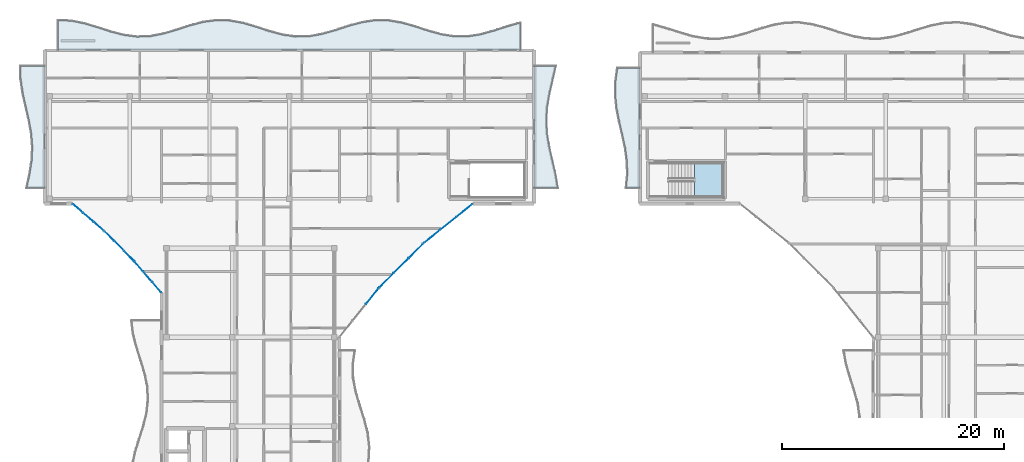
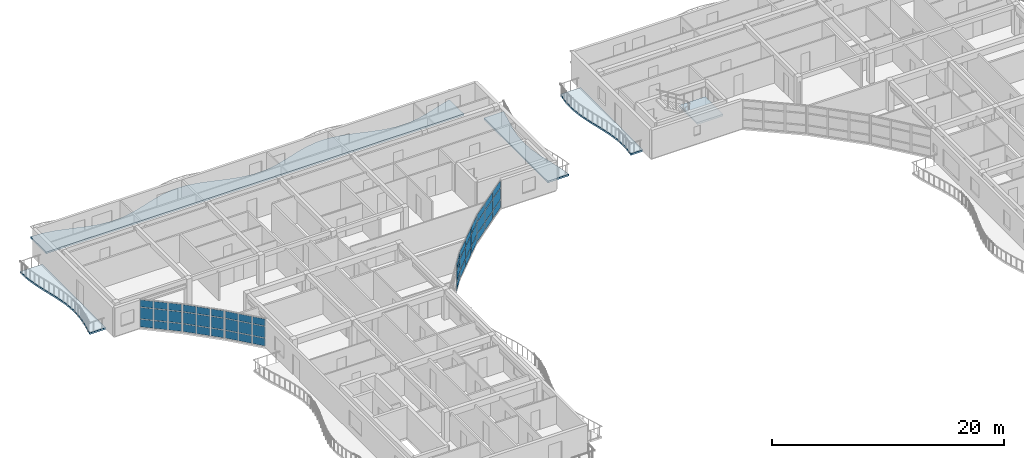
# One storey, part 13 of 30: 48 plates, 5 slabs, 7 elements without a shape of their own.
"""IFC4 building model written with IfcOpenShell, lengths in metres."""

import ifcopenshell
import ifcopenshell.guid

model = None  # the IFC model being written
_history = None  # IfcOwnerHistory: only IFC2X3 demands one
_inside = {}  # id of a spatial element -> (the spatial element, [elements in it])
_under = {}  # id of a project, library or spatial element -> (it, [spatial elements below it])
_declared = {}  # id of a project -> (the project, [libraries it declares])
_typed = {}  # id of a type object -> (the type object, [elements of that type])
_made_of = {}  # id of a material, layer set ... -> (it, [elements and type objects made of it])


def new_model(schema):
    """Start an empty IFC model of exactly this schema.

    Asked for "IFC4X3", IfcOpenShell would pick the latest addendum, in which some entities
    have other attributes; the version numbers below select the first issue.
    IFC2X3 requires an IfcOwnerHistory on every rooted entity: one is made here for all.
    """
    global model, _history
    if schema == "IFC4X3":
        model = ifcopenshell.file(schema_version=(4, 3, 0, 0))
    else:
        model = ifcopenshell.file(schema=schema)
    _inside.clear()
    _under.clear()
    _declared.clear()
    _typed.clear()
    _made_of.clear()
    _history = None
    if model.schema == "IFC2X3":
        org = make("IfcOrganization", Name="unknown")
        user = make(
            "IfcPersonAndOrganization",
            ThePerson=make("IfcPerson", FamilyName="unknown"),
            TheOrganization=org,
        )
        app = make(
            "IfcApplication",
            ApplicationDeveloper=org,
            Version="unknown",
            ApplicationFullName="unknown",
            ApplicationIdentifier="unknown",
        )
        _history = make(
            "IfcOwnerHistory",
            OwningUser=user,
            OwningApplication=app,
            ChangeAction="ADDED",
            CreationDate=0,
        )
    return model


def make(cls, **values):
    """One entity of the class cls with the attributes given. An attribute that is None is left unset."""
    return model.create_entity(
        cls, **{name: value for name, value in values.items() if value is not None}
    )


def rooted(cls, **values):
    """An entity with a GlobalId (a new one), such as an element, a storey or a relation."""
    return make(cls, GlobalId=ifcopenshell.guid.new(), OwnerHistory=_history, **values)


def si_unit(unit_type, name, prefix=None):
    """IfcSIUnit, for example si_unit("LENGTHUNIT", "METRE", prefix="MILLI")."""
    return make("IfcSIUnit", UnitType=unit_type, Prefix=prefix, Name=name)


def assignment(units):
    """IfcUnitAssignment: the units of a project."""
    return None if units is None else make("IfcUnitAssignment", Units=units)


def point(xyz):
    """IfcCartesianPoint."""
    return None if xyz is None else make("IfcCartesianPoint", Coordinates=xyz)


def direction(xyz):
    """IfcDirection."""
    return None if xyz is None else make("IfcDirection", DirectionRatios=xyz)


def frame(location, z_axis=None, x_axis=None):
    """IfcAxis2Placement3D, a coordinate frame: its origin and axes. An axis left out is left unset."""
    return make(
        "IfcAxis2Placement3D",
        Location=point(location),
        Axis=direction(z_axis),
        RefDirection=direction(x_axis),
    )


def frame_2d(location, x_axis=None):
    """IfcAxis2Placement2D, a coordinate frame in the plane: its origin and x axis."""
    return make(
        "IfcAxis2Placement2D", Location=point(location), RefDirection=direction(x_axis)
    )


def origin():
    """The frame at (0, 0, 0) with its axes left unset."""
    return frame((0.0, 0.0, 0.0))


def origin_2d():
    """The frame at (0, 0) in the plane with its x axis left unset."""
    return frame_2d((0.0, 0.0))


def place(relative_to, where):
    """IfcLocalPlacement: puts the frame where relative to a parent placement (None: the world)."""
    return make(
        "IfcLocalPlacement", PlacementRelTo=relative_to, RelativePlacement=where
    )


def context(
    kind, dimensions, precision=None, world=None, true_north=None, identifier=None
):
    """IfcGeometricRepresentationContext, for example the 3D "Model" context."""
    return make(
        "IfcGeometricRepresentationContext",
        ContextIdentifier=identifier,
        ContextType=kind,
        CoordinateSpaceDimension=dimensions,
        Precision=precision,
        WorldCoordinateSystem=world,
        TrueNorth=true_north,
    )


def subcontext(parent, identifier, kind, view, scale=None):
    """IfcGeometricRepresentationSubContext, for example "Body" below "Model"."""
    return make(
        "IfcGeometricRepresentationSubContext",
        ContextIdentifier=identifier,
        ContextType=kind,
        ParentContext=parent,
        TargetScale=scale,
        TargetView=view,
    )


def project(units=None, contexts=None):
    """IfcProject with its units and contexts."""
    return rooted(
        "IfcProject",
        Name="project",
        RepresentationContexts=contexts,
        UnitsInContext=assignment(units),
    )


def spatial(cls, under=None, at=None, **own):
    """A site, building, storey or space (cls), placed at a placement, below another one or the project."""
    s = rooted(cls, ObjectPlacement=at, **own)
    if under is not None:
        _under.setdefault(under.id(), (under, []))[1].append(s)
    return s


def polyline(points):
    """IfcPolyline through the points."""
    return make("IfcPolyline", Points=[point(p) for p in points])


def profile(cls, at=None, kind="AREA", **sizes):
    """A parametric profile (cls). Its sizes go by their IFC names, for example OverallWidth=200.0."""
    return make(cls, ProfileType=kind, Position=at, **sizes)


def rectangle(**sizes):
    """IfcRectangleProfileDef."""
    return profile("IfcRectangleProfileDef", **sizes)


def outline(outer, holes=None, kind="AREA"):
    """IfcArbitraryClosedProfileDef: a profile drawn as a closed curve; with holes, ...WithVoids."""
    if holes is None:
        return make("IfcArbitraryClosedProfileDef", ProfileType=kind, OuterCurve=outer)
    return make(
        "IfcArbitraryProfileDefWithVoids",
        ProfileType=kind,
        OuterCurve=outer,
        InnerCurves=holes,
    )


def extrude(swept, where, along, depth):
    """IfcExtrudedAreaSolid: the profile swept, set in the frame where, extruded along a direction by depth."""
    return make(
        "IfcExtrudedAreaSolid",
        SweptArea=swept,
        Position=where,
        ExtrudedDirection=direction(along),
        Depth=depth,
    )


def shape(context_of_items, identifier, shape_type, items):
    """IfcShapeRepresentation: the items that make up one representation, for example the "Body"."""
    return make(
        "IfcShapeRepresentation",
        ContextOfItems=context_of_items,
        RepresentationIdentifier=identifier,
        RepresentationType=shape_type,
        Items=items,
    )


def material(Name=None, Category=None):
    """IfcMaterial."""
    return make("IfcMaterial", Name=Name, Category=Category)


def layer(
    of_material, thickness, ventilated=None, Name=None, Category=None, Priority=None
):
    """IfcMaterialLayer: one layer of a wall or slab, of a material (None: an air gap)."""
    return make(
        "IfcMaterialLayer",
        Material=of_material,
        LayerThickness=thickness,
        IsVentilated=ventilated,
        Name=Name,
        Category=Category,
        Priority=Priority,
    )


def layer_set(layers, Name=None):
    """IfcMaterialLayerSet."""
    return make("IfcMaterialLayerSet", MaterialLayers=layers, LayerSetName=Name)


def made_of(thing, what):
    """Note that an element or type object is made of a material, layer set ...; save() writes the relation."""
    if what is not None:
        _made_of.setdefault(what.id(), (what, []))[1].append(thing)
    return thing


def type_object(cls, material=None, **own):
    """A type object (cls), such as IfcWallType, which elements share."""
    return made_of(rooted(cls, **own), material)


def element(
    cls,
    number,
    at=None,
    inside=None,
    cuts=None,
    type_object=None,
    material=None,
    context=None,
    identifier="Body",
    shape_type=None,
    held_by="IfcProductDefinitionShape",
    body=None,
    shapes=None,
    **own,
):
    """One element of the class cls, such as IfcWall. Its Tag is "e" and its number.

    at: its placement. inside: the storey or other place that contains it. cuts: it is an
    opening in that element (IfcRelVoidsElement). A single representation is given by context,
    identifier, shape_type and body (its items); several are given by shapes. held_by: the class
    of the entity that holds the representations. save() writes the other relations.
    """
    e = rooted(cls, Tag="e%d" % number, ObjectPlacement=at, **own)
    if body is not None:
        shapes = [shape(context, identifier, shape_type, body)]
    if shapes is not None:
        e.Representation = make(held_by, Representations=shapes)
    if inside is not None:
        _inside.setdefault(inside.id(), (inside, []))[1].append(e)
    if cuts is not None:
        rooted(
            "IfcRelVoidsElement", RelatingBuildingElement=cuts, RelatedOpeningElement=e
        )
    if type_object is not None:
        _typed.setdefault(type_object.id(), (type_object, []))[1].append(e)
    return made_of(e, material)


def aggregate(whole, parts):
    """IfcRelAggregates: a whole, such as a stair, and the parts it consists of."""
    return rooted("IfcRelAggregates", RelatingObject=whole, RelatedObjects=parts)


def save(model, path):
    """Write the relations noted so far, then the file.

    IfcRelAggregates (storeys below a building ...), IfcRelContainedInSpatialStructure (elements
    in a storey), IfcRelDefinesByType, IfcRelAssociatesMaterial and IfcRelDeclares: one each for
    every whole, place, type object, material and project.
    """
    for whole, parts in _under.values():
        aggregate(whole, parts)
    for where, things in _inside.values():
        rooted(
            "IfcRelContainedInSpatialStructure",
            RelatedElements=things,
            RelatingStructure=where,
        )
    for kind, things in _typed.values():
        rooted("IfcRelDefinesByType", RelatedObjects=things, RelatingType=kind)
    for what, things in _made_of.values():
        rooted("IfcRelAssociatesMaterial", RelatedObjects=things, RelatingMaterial=what)
    for by, libraries in _declared.values():
        rooted("IfcRelDeclares", RelatingContext=by, RelatedDefinitions=libraries)
    model.write(path)


model = new_model("IFC4")

# Units and contexts
model_context = context("Model", 3, precision=1e-05, world=origin(), true_north=direction((0.0, 1.0)))
body_context = subcontext(model_context, "Body", "Model", "MODEL_VIEW")
ifc_project = project(units=[si_unit("LENGTHUNIT", "METRE"), si_unit("AREAUNIT", "SQUARE_METRE"), si_unit("VOLUMEUNIT", "CUBIC_METRE"), si_unit("PLANEANGLEUNIT", "RADIAN"), si_unit("MASSUNIT", "GRAM", prefix="KILO")], contexts=[model_context])

# Site, building, storey
site_placement = place(None, origin())
site = spatial("IfcSite", under=ifc_project, at=site_placement, CompositionType="ELEMENT")
building_placement = place(site_placement, origin())
building = spatial("IfcBuilding", under=site, at=building_placement, Name="Keldmere Railside Commons", CompositionType="ELEMENT")
storey_placement = place(building_placement, frame((0.0, 0.0, 36.159912109375)))
storey = spatial("IfcBuildingStorey", under=building, at=storey_placement, Name="L11", CompositionType="ELEMENT", Elevation=36.159912109375)

# Curtain wall, plates
ifc_material_1 = material(Name="Thermally Broken Aluminium", Category="aluminium")
ifc_layer_1 = layer(ifc_material_1, 0.159912109375, Name="Court Chord Wintergarden CW 4800x2850")
ifc_layer_set_1 = layer_set([ifc_layer_1], Name="Thermally Broken Aluminium")
curtain_wall_type_1 = type_object("IfcCurtainWallType", Name="Court Chord Wintergarden CW 4800x2850", PredefinedType="NOTDEFINED", material=ifc_layer_set_1)
curtain_wall_1_placement = place(storey_placement, origin())
curtain_wall_1 = element("IfcCurtainWall", 1, at=curtain_wall_1_placement, inside=storey, type_object=curtain_wall_type_1, Name="CW-12 CW-L11-151", PredefinedType="NOTDEFINED")
ifc_material_2 = material(Name="Low-E Insulated Double Glazing", Category="glass")
ifc_layer_2 = layer(ifc_material_2, 0.033935546875, Name="Acoustic Laminated Vision Panel 34")
ifc_layer_set_2 = layer_set([ifc_layer_2], Name="Low-E Insulated Double Glazing")
plate_type_1 = type_object("IfcPlateType", Name="Acoustic Laminated Vision Panel 34", PredefinedType="CURTAIN_PANEL", material=ifc_layer_set_2)
plate_1_placement = place(storey_placement, frame((122.951416015625, 91.678955078125, 0.06494140625), z_axis=(0.0, 0.0, 1.0), x_axis=(-0.625768080915, -0.780009172323, 0.0)))
plate_1 = element("IfcPlate", 2, at=plate_1_placement, type_object=plate_type_1, Name="CW-12 panel 1.1", PredefinedType="CURTAIN_PANEL", context=body_context, shape_type="SweptSolid", body=[
    extrude(rectangle(XDim=1.795654296875, YDim=0.033935546875, at=origin_2d()), origin(), (0.0, 0.0, 1.0), 0.802490234375),
])
plate_2_placement = place(storey_placement, frame((122.951416015625, 91.678955078125, 0.9326171875), z_axis=(0.0, 0.0, 1.0), x_axis=(-0.625768080915, -0.780009172323, 0.0)))
plate_2 = element("IfcPlate", 3, at=plate_2_placement, type_object=plate_type_1, Name="CW-12 panel 1.2", PredefinedType="CURTAIN_PANEL", context=body_context, shape_type="SweptSolid", body=[
    extrude(rectangle(XDim=1.795654296875, YDim=0.033935546875, at=origin_2d()), origin(), (0.0, 0.0, 1.0), 1.18505859375),
])
plate_3_placement = place(storey_placement, frame((122.951416015625, 91.678955078125, 2.1826171875), z_axis=(0.0, 0.0, 1.0), x_axis=(-0.625768080915, -0.780009172323, 0.0)))
plate_3 = element("IfcPlate", 4, at=plate_3_placement, type_object=plate_type_1, Name="CW-12 panel 1.3", PredefinedType="CURTAIN_PANEL", context=body_context, shape_type="SweptSolid", body=[
    extrude(rectangle(XDim=1.795654296875, YDim=0.033935546875, at=origin_2d()), origin(), (0.0, 0.0, 1.0), 0.732421875),
])
aggregate(curtain_wall_1, [plate_1, plate_2, plate_3])

curtain_wall_2_placement = place(storey_placement, origin())
curtain_wall_2 = element("IfcCurtainWall", 5, at=curtain_wall_2_placement, inside=storey, type_object=curtain_wall_type_1, Name="CW-12 CW-L11-154", PredefinedType="NOTDEFINED")
plate_4_placement = place(storey_placement, frame((98.369384765625, 97.952392578125, 0.06494140625), z_axis=(0.0, 0.0, 1.0), x_axis=(-0.756596767584, 0.653881741053, 0.0)))
plate_4 = element("IfcPlate", 6, at=plate_4_placement, type_object=plate_type_1, Name="CW-12 panel 1.1", PredefinedType="CURTAIN_PANEL", context=body_context, shape_type="SweptSolid", body=[
    extrude(rectangle(XDim=1.16162109375, YDim=0.033935546875, at=origin_2d()), origin(), (0.0, 0.0, 1.0), 0.802490234375),
])
plate_5_placement = place(storey_placement, frame((98.369384765625, 97.952392578125, 0.9326171875), z_axis=(0.0, 0.0, 1.0), x_axis=(-0.756596767584, 0.653881741053, 0.0)))
plate_5 = element("IfcPlate", 7, at=plate_5_placement, type_object=plate_type_1, Name="CW-12 panel 1.2", PredefinedType="CURTAIN_PANEL", context=body_context, shape_type="SweptSolid", body=[
    extrude(rectangle(XDim=1.16162109375, YDim=0.033935546875, at=origin_2d()), origin(), (0.0, 0.0, 1.0), 1.18505859375),
])
plate_6_placement = place(storey_placement, frame((98.369384765625, 97.952392578125, 2.1826171875), z_axis=(0.0, 0.0, 1.0), x_axis=(-0.756596767584, 0.653881741053, 0.0)))
plate_6 = element("IfcPlate", 8, at=plate_6_placement, type_object=plate_type_1, Name="CW-12 panel 1.3", PredefinedType="CURTAIN_PANEL", context=body_context, shape_type="SweptSolid", body=[
    extrude(rectangle(XDim=1.16162109375, YDim=0.033935546875, at=origin_2d()), origin(), (0.0, 0.0, 1.0), 0.732421875),
])
plate_7_placement = place(storey_placement, frame((97.428955078125, 98.764892578125, 0.06494140625), z_axis=(0.0, 0.0, 1.0), x_axis=(-0.756596767584, 0.653881741053, 0.0)))
plate_7 = element("IfcPlate", 9, at=plate_7_placement, type_object=plate_type_1, Name="CW-12 panel 2.1", PredefinedType="CURTAIN_PANEL", context=body_context, shape_type="SweptSolid", body=[
    extrude(rectangle(XDim=1.194091796875, YDim=0.033935546875, at=origin_2d()), origin(), (0.0, 0.0, 1.0), 0.802490234375),
])
plate_8_placement = place(storey_placement, frame((97.428955078125, 98.764892578125, 0.9326171875), z_axis=(0.0, 0.0, 1.0), x_axis=(-0.756596767584, 0.653881741053, 0.0)))
plate_8 = element("IfcPlate", 10, at=plate_8_placement, type_object=plate_type_1, Name="CW-12 panel 2.2", PredefinedType="CURTAIN_PANEL", context=body_context, shape_type="SweptSolid", body=[
    extrude(rectangle(XDim=1.194091796875, YDim=0.033935546875, at=origin_2d()), origin(), (0.0, 0.0, 1.0), 1.18505859375),
])
plate_9_placement = place(storey_placement, frame((97.428955078125, 98.764892578125, 2.1826171875), z_axis=(0.0, 0.0, 1.0), x_axis=(-0.756596767584, 0.653881741053, 0.0)))
plate_9 = element("IfcPlate", 11, at=plate_9_placement, type_object=plate_type_1, Name="CW-12 panel 2.3", PredefinedType="CURTAIN_PANEL", context=body_context, shape_type="SweptSolid", body=[
    extrude(rectangle(XDim=1.194091796875, YDim=0.033935546875, at=origin_2d()), origin(), (0.0, 0.0, 1.0), 0.732421875),
])
plate_10_placement = place(storey_placement, frame((96.488525390625, 99.57763671875, 0.06494140625), z_axis=(0.0, 0.0, 1.0), x_axis=(-0.756596767584, 0.653881741053, 0.0)))
plate_10 = element("IfcPlate", 12, at=plate_10_placement, type_object=plate_type_1, Name="CW-12 panel 3.1", PredefinedType="CURTAIN_PANEL", context=body_context, shape_type="SweptSolid", body=[
    extrude(rectangle(XDim=1.16162109375, YDim=0.033935546875, at=origin_2d()), origin(), (0.0, 0.0, 1.0), 0.802490234375),
])
plate_11_placement = place(storey_placement, frame((96.488525390625, 99.57763671875, 0.9326171875), z_axis=(0.0, 0.0, 1.0), x_axis=(-0.756596767584, 0.653881741053, 0.0)))
plate_11 = element("IfcPlate", 13, at=plate_11_placement, type_object=plate_type_1, Name="CW-12 panel 3.2", PredefinedType="CURTAIN_PANEL", context=body_context, shape_type="SweptSolid", body=[
    extrude(rectangle(XDim=1.16162109375, YDim=0.033935546875, at=origin_2d()), origin(), (0.0, 0.0, 1.0), 1.18505859375),
])
plate_12_placement = place(storey_placement, frame((96.488525390625, 99.57763671875, 2.1826171875), z_axis=(0.0, 0.0, 1.0), x_axis=(-0.756596767584, 0.653881741053, 0.0)))
plate_12 = element("IfcPlate", 14, at=plate_12_placement, type_object=plate_type_1, Name="CW-12 panel 3.3", PredefinedType="CURTAIN_PANEL", context=body_context, shape_type="SweptSolid", body=[
    extrude(rectangle(XDim=1.16162109375, YDim=0.033935546875, at=origin_2d()), origin(), (0.0, 0.0, 1.0), 0.732421875),
])
aggregate(curtain_wall_2, [plate_4, plate_5, plate_6, plate_7, plate_8, plate_9, plate_10, plate_11, plate_12])

ifc_layer_3 = layer(ifc_material_1, 0.159912109375, Name="Court Chord Wintergarden CW 5400x2850")
ifc_layer_set_3 = layer_set([ifc_layer_3], Name="Thermally Broken Aluminium")
curtain_wall_type_2 = type_object("IfcCurtainWallType", Name="Court Chord Wintergarden CW 5400x2850", PredefinedType="NOTDEFINED", material=ifc_layer_set_3)
curtain_wall_3_placement = place(storey_placement, origin())
curtain_wall_3 = element("IfcCurtainWall", 15, at=curtain_wall_3_placement, inside=storey, type_object=curtain_wall_type_2, Name="CW-13 CW-L11-152", PredefinedType="NOTDEFINED")
ifc_layer_4 = layer(ifc_material_2, 0.031982421875, Name="Clerestory Solar-Control Vision Panel 32")
ifc_layer_set_4 = layer_set([ifc_layer_4], Name="Low-E Insulated Double Glazing")
plate_type_2 = type_object("IfcPlateType", Name="Clerestory Solar-Control Vision Panel 32", PredefinedType="CURTAIN_PANEL", material=ifc_layer_set_4)
plate_13_placement = place(storey_placement, frame((126.88916015625, 95.76513671875, 0.06494140625), z_axis=(0.0, 0.0, 1.0), x_axis=(-0.707106781187, -0.707106781187, 0.0)))
plate_13 = element("IfcPlate", 16, at=plate_13_placement, type_object=plate_type_2, Name="CW-13 panel 1.1", PredefinedType="CURTAIN_PANEL", context=body_context, shape_type="SweptSolid", body=[
    extrude(rectangle(XDim=1.795654296875, YDim=0.031982421875, at=origin_2d()), origin(), (0.0, 0.0, 1.0), 0.802490234375),
])
plate_14_placement = place(storey_placement, frame((126.88916015625, 95.76513671875, 0.9326171875), z_axis=(0.0, 0.0, 1.0), x_axis=(-0.707106781187, -0.707106781187, 0.0)))
plate_14 = element("IfcPlate", 17, at=plate_14_placement, type_object=plate_type_2, Name="CW-13 panel 1.2", PredefinedType="CURTAIN_PANEL", context=body_context, shape_type="SweptSolid", body=[
    extrude(rectangle(XDim=1.795654296875, YDim=0.031982421875, at=origin_2d()), origin(), (0.0, 0.0, 1.0), 1.18505859375),
])
plate_15_placement = place(storey_placement, frame((126.88916015625, 95.76513671875, 2.1826171875), z_axis=(0.0, 0.0, 1.0), x_axis=(-0.707106781187, -0.707106781187, 0.0)))
plate_15 = element("IfcPlate", 18, at=plate_15_placement, type_object=plate_type_2, Name="CW-13 panel 1.3", PredefinedType="CURTAIN_PANEL", context=body_context, shape_type="SweptSolid", body=[
    extrude(rectangle(XDim=1.795654296875, YDim=0.031982421875, at=origin_2d()), origin(), (0.0, 0.0, 1.0), 0.732421875),
])
plate_16_placement = place(storey_placement, frame((125.56201171875, 94.43798828125, 0.06494140625), z_axis=(0.0, 0.0, 1.0), x_axis=(-0.707106781187, -0.707106781187, 0.0)))
plate_16 = element("IfcPlate", 19, at=plate_16_placement, type_object=plate_type_2, Name="CW-13 panel 2.1", PredefinedType="CURTAIN_PANEL", context=body_context, shape_type="SweptSolid", body=[
    extrude(rectangle(XDim=1.828125, YDim=0.031982421875, at=origin_2d()), origin(), (0.0, 0.0, 1.0), 0.802490234375),
])
plate_17_placement = place(storey_placement, frame((125.56201171875, 94.43798828125, 0.9326171875), z_axis=(0.0, 0.0, 1.0), x_axis=(-0.707106781187, -0.707106781187, 0.0)))
plate_17 = element("IfcPlate", 20, at=plate_17_placement, type_object=plate_type_2, Name="CW-13 panel 2.2", PredefinedType="CURTAIN_PANEL", context=body_context, shape_type="SweptSolid", body=[
    extrude(rectangle(XDim=1.828125, YDim=0.031982421875, at=origin_2d()), origin(), (0.0, 0.0, 1.0), 1.18505859375),
])
plate_18_placement = place(storey_placement, frame((125.56201171875, 94.43798828125, 2.1826171875), z_axis=(0.0, 0.0, 1.0), x_axis=(-0.707106781187, -0.707106781187, 0.0)))
plate_18 = element("IfcPlate", 21, at=plate_18_placement, type_object=plate_type_2, Name="CW-13 panel 2.3", PredefinedType="CURTAIN_PANEL", context=body_context, shape_type="SweptSolid", body=[
    extrude(rectangle(XDim=1.828125, YDim=0.031982421875, at=origin_2d()), origin(), (0.0, 0.0, 1.0), 0.732421875),
])
plate_19_placement = place(storey_placement, frame((124.23486328125, 93.11083984375, 0.06494140625), z_axis=(0.0, 0.0, 1.0), x_axis=(-0.707106781187, -0.707106781187, 0.0)))
plate_19 = element("IfcPlate", 22, at=plate_19_placement, type_object=plate_type_2, Name="CW-13 panel 3.1", PredefinedType="CURTAIN_PANEL", context=body_context, shape_type="SweptSolid", body=[
    extrude(rectangle(XDim=1.795654296875, YDim=0.031982421875, at=origin_2d()), origin(), (0.0, 0.0, 1.0), 0.802490234375),
])
plate_20_placement = place(storey_placement, frame((124.23486328125, 93.11083984375, 0.9326171875), z_axis=(0.0, 0.0, 1.0), x_axis=(-0.707106781187, -0.707106781187, 0.0)))
plate_20 = element("IfcPlate", 23, at=plate_20_placement, type_object=plate_type_2, Name="CW-13 panel 3.2", PredefinedType="CURTAIN_PANEL", context=body_context, shape_type="SweptSolid", body=[
    extrude(rectangle(XDim=1.795654296875, YDim=0.031982421875, at=origin_2d()), origin(), (0.0, 0.0, 1.0), 1.18505859375),
])
plate_21_placement = place(storey_placement, frame((124.23486328125, 93.11083984375, 2.1826171875), z_axis=(0.0, 0.0, 1.0), x_axis=(-0.707106781187, -0.707106781187, 0.0)))
plate_21 = element("IfcPlate", 24, at=plate_21_placement, type_object=plate_type_2, Name="CW-13 panel 3.3", PredefinedType="CURTAIN_PANEL", context=body_context, shape_type="SweptSolid", body=[
    extrude(rectangle(XDim=1.795654296875, YDim=0.031982421875, at=origin_2d()), origin(), (0.0, 0.0, 1.0), 0.732421875),
])
aggregate(curtain_wall_3, [plate_13, plate_14, plate_15, plate_16, plate_17, plate_18, plate_19, plate_20, plate_21])

curtain_wall_4_placement = place(storey_placement, origin())
curtain_wall_4 = element("IfcCurtainWall", 25, at=curtain_wall_4_placement, inside=storey, type_object=curtain_wall_type_2, Name="CW-13 CW-L11-155", PredefinedType="NOTDEFINED")
plate_22_placement = place(storey_placement, frame((101.0732421875, 95.31494140625, 0.06494140625), z_axis=(0.0, 0.0, 1.0), x_axis=(-0.707106781187, 0.707106781187, 0.0)))
plate_22 = element("IfcPlate", 26, at=plate_22_placement, type_object=plate_type_2, Name="CW-13 panel 1.1", PredefinedType="CURTAIN_PANEL", context=body_context, shape_type="SweptSolid", body=[
    extrude(rectangle(XDim=1.162109375, YDim=0.031982421875, at=origin_2d()), origin(), (0.0, 0.0, 1.0), 0.802490234375),
])
plate_23_placement = place(storey_placement, frame((101.0732421875, 95.31494140625, 0.9326171875), z_axis=(0.0, 0.0, 1.0), x_axis=(-0.707106781187, 0.707106781187, 0.0)))
plate_23 = element("IfcPlate", 27, at=plate_23_placement, type_object=plate_type_2, Name="CW-13 panel 1.2", PredefinedType="CURTAIN_PANEL", context=body_context, shape_type="SweptSolid", body=[
    extrude(rectangle(XDim=1.162109375, YDim=0.031982421875, at=origin_2d()), origin(), (0.0, 0.0, 1.0), 1.18505859375),
])
plate_24_placement = place(storey_placement, frame((101.0732421875, 95.31494140625, 2.1826171875), z_axis=(0.0, 0.0, 1.0), x_axis=(-0.707106781187, 0.707106781187, 0.0)))
plate_24 = element("IfcPlate", 28, at=plate_24_placement, type_object=plate_type_2, Name="CW-13 panel 1.3", PredefinedType="CURTAIN_PANEL", context=body_context, shape_type="SweptSolid", body=[
    extrude(rectangle(XDim=1.162109375, YDim=0.031982421875, at=origin_2d()), origin(), (0.0, 0.0, 1.0), 0.732421875),
])
plate_25_placement = place(storey_placement, frame((100.194091796875, 96.194091796875, 0.06494140625), z_axis=(0.0, 0.0, 1.0), x_axis=(-0.707106781187, 0.707106781187, 0.0)))
plate_25 = element("IfcPlate", 29, at=plate_25_placement, type_object=plate_type_2, Name="CW-13 panel 2.1", PredefinedType="CURTAIN_PANEL", context=body_context, shape_type="SweptSolid", body=[
    extrude(rectangle(XDim=1.194580078125, YDim=0.031982421875, at=origin_2d()), origin(), (0.0, 0.0, 1.0), 0.802490234375),
])
plate_26_placement = place(storey_placement, frame((100.194091796875, 96.194091796875, 0.9326171875), z_axis=(0.0, 0.0, 1.0), x_axis=(-0.707106781187, 0.707106781187, 0.0)))
plate_26 = element("IfcPlate", 30, at=plate_26_placement, type_object=plate_type_2, Name="CW-13 panel 2.2", PredefinedType="CURTAIN_PANEL", context=body_context, shape_type="SweptSolid", body=[
    extrude(rectangle(XDim=1.194580078125, YDim=0.031982421875, at=origin_2d()), origin(), (0.0, 0.0, 1.0), 1.18505859375),
])
plate_27_placement = place(storey_placement, frame((100.194091796875, 96.194091796875, 2.1826171875), z_axis=(0.0, 0.0, 1.0), x_axis=(-0.707106781187, 0.707106781187, 0.0)))
plate_27 = element("IfcPlate", 31, at=plate_27_placement, type_object=plate_type_2, Name="CW-13 panel 2.3", PredefinedType="CURTAIN_PANEL", context=body_context, shape_type="SweptSolid", body=[
    extrude(rectangle(XDim=1.194580078125, YDim=0.031982421875, at=origin_2d()), origin(), (0.0, 0.0, 1.0), 0.732421875),
])
plate_28_placement = place(storey_placement, frame((99.31494140625, 97.0732421875, 0.06494140625), z_axis=(0.0, 0.0, 1.0), x_axis=(-0.707106781187, 0.707106781187, 0.0)))
plate_28 = element("IfcPlate", 32, at=plate_28_placement, type_object=plate_type_2, Name="CW-13 panel 3.1", PredefinedType="CURTAIN_PANEL", context=body_context, shape_type="SweptSolid", body=[
    extrude(rectangle(XDim=1.162109375, YDim=0.031982421875, at=origin_2d()), origin(), (0.0, 0.0, 1.0), 0.802490234375),
])
plate_29_placement = place(storey_placement, frame((99.31494140625, 97.0732421875, 0.9326171875), z_axis=(0.0, 0.0, 1.0), x_axis=(-0.707106781187, 0.707106781187, 0.0)))
plate_29 = element("IfcPlate", 33, at=plate_29_placement, type_object=plate_type_2, Name="CW-13 panel 3.2", PredefinedType="CURTAIN_PANEL", context=body_context, shape_type="SweptSolid", body=[
    extrude(rectangle(XDim=1.162109375, YDim=0.031982421875, at=origin_2d()), origin(), (0.0, 0.0, 1.0), 1.18505859375),
])
plate_30_placement = place(storey_placement, frame((99.31494140625, 97.0732421875, 2.1826171875), z_axis=(0.0, 0.0, 1.0), x_axis=(-0.707106781187, 0.707106781187, 0.0)))
plate_30 = element("IfcPlate", 34, at=plate_30_placement, type_object=plate_type_2, Name="CW-13 panel 3.3", PredefinedType="CURTAIN_PANEL", context=body_context, shape_type="SweptSolid", body=[
    extrude(rectangle(XDim=1.162109375, YDim=0.031982421875, at=origin_2d()), origin(), (0.0, 0.0, 1.0), 0.732421875),
])
aggregate(curtain_wall_4, [plate_22, plate_23, plate_24, plate_25, plate_26, plate_27, plate_28, plate_29, plate_30])

# Stair, slab
ifc_material_3 = material(Name="Concrete H-30 (C30/37)", Category="concrete")
stair_type = type_object("IfcStairType", Name="Residential Core Dogleg Stair 1450", PredefinedType="HALF_TURN_STAIR", material=ifc_material_3)
stair_placement = place(storey_placement, origin())
stair = element("IfcStair", 35, at=stair_placement, inside=storey, type_object=stair_type, Name="L11 Block A Secondary Escape Stair 2", PredefinedType="HALF_TURN_STAIR")
ifc_layer_5 = layer(ifc_material_3, 0.199951171875, Name="Enclosed Stair Landing Slab 200")
ifc_layer_set_5 = layer_set([ifc_layer_5], Name="Concrete H-30 (C30/37)")
slab_type_1 = type_object("IfcSlabType", Name="Enclosed Stair Landing Slab 200", PredefinedType="LANDING", material=ifc_layer_set_5)
slab_1_placement = place(storey_placement, frame((0.0, 0.0, 1.400146484375)))
slab_1 = element("IfcSlab", 36, at=slab_1_placement, type_object=slab_type_1, Name="ST-A2 landing 1", PredefinedType="LANDING", context=body_context, shape_type="SweptSolid", body=[
    extrude(outline(polyline([(151.919921875, 100.60009765625), (154.5, 100.60009765625), (154.5, 103.64990234375), (151.919921875, 103.64990234375), (151.919921875, 100.60009765625)])), origin(), (0.0, 0.0, 1.0), 0.199951171875),
])
aggregate(stair, [slab_1])

# Curtain wall, plates
curtain_wall_5_placement = place(storey_placement, origin())
curtain_wall_5 = element("IfcCurtainWall", 37, at=curtain_wall_5_placement, inside=storey, type_object=curtain_wall_type_1, Name="CW-12 CW-L11-153", PredefinedType="NOTDEFINED")
ifc_layer_6 = layer(ifc_material_2, 0.028076171875, Name="Low-E Vision Glazing Panel 28")
ifc_layer_set_6 = layer_set([ifc_layer_6], Name="Low-E Insulated Double Glazing")
plate_type_3 = type_object("IfcPlateType", Name="Low-E Vision Glazing Panel 28", PredefinedType="CURTAIN_PANEL", material=ifc_layer_set_6)
plate_31_placement = place(storey_placement, frame((131.2490234375, 99.3974609375, 0.06494140625), z_axis=(0.0, 0.0, 1.0), x_axis=(-0.780009172323, -0.625768080915, 0.0)))
plate_31 = element("IfcPlate", 38, at=plate_31_placement, type_object=plate_type_3, Name="CW-12 panel 1.1", PredefinedType="CURTAIN_PANEL", context=body_context, shape_type="SweptSolid", body=[
    extrude(rectangle(XDim=1.795654296875, YDim=0.028076171875, at=origin_2d()), origin(), (0.0, 0.0, 1.0), 0.802490234375),
])
plate_32_placement = place(storey_placement, frame((131.2490234375, 99.3974609375, 0.9326171875), z_axis=(0.0, 0.0, 1.0), x_axis=(-0.780009172323, -0.625768080915, 0.0)))
plate_32 = element("IfcPlate", 39, at=plate_32_placement, type_object=plate_type_3, Name="CW-12 panel 1.2", PredefinedType="CURTAIN_PANEL", context=body_context, shape_type="SweptSolid", body=[
    extrude(rectangle(XDim=1.795654296875, YDim=0.028076171875, at=origin_2d()), origin(), (0.0, 0.0, 1.0), 1.18505859375),
])
plate_33_placement = place(storey_placement, frame((131.2490234375, 99.3974609375, 2.1826171875), z_axis=(0.0, 0.0, 1.0), x_axis=(-0.780009172323, -0.625768080915, 0.0)))
plate_33 = element("IfcPlate", 40, at=plate_33_placement, type_object=plate_type_3, Name="CW-12 panel 1.3", PredefinedType="CURTAIN_PANEL", context=body_context, shape_type="SweptSolid", body=[
    extrude(rectangle(XDim=1.795654296875, YDim=0.028076171875, at=origin_2d()), origin(), (0.0, 0.0, 1.0), 0.732421875),
])
plate_34_placement = place(storey_placement, frame((129.784912109375, 98.222900390625, 0.06494140625), z_axis=(0.0, 0.0, 1.0), x_axis=(-0.780009172323, -0.625768080915, 0.0)))
plate_34 = element("IfcPlate", 41, at=plate_34_placement, type_object=plate_type_3, Name="CW-12 panel 2.1", PredefinedType="CURTAIN_PANEL", context=body_context, shape_type="SweptSolid", body=[
    extrude(rectangle(XDim=1.828125, YDim=0.028076171875, at=origin_2d()), origin(), (0.0, 0.0, 1.0), 0.802490234375),
])
plate_35_placement = place(storey_placement, frame((129.784912109375, 98.222900390625, 0.9326171875), z_axis=(0.0, 0.0, 1.0), x_axis=(-0.780009172323, -0.625768080915, 0.0)))
plate_35 = element("IfcPlate", 42, at=plate_35_placement, type_object=plate_type_3, Name="CW-12 panel 2.2", PredefinedType="CURTAIN_PANEL", context=body_context, shape_type="SweptSolid", body=[
    extrude(rectangle(XDim=1.828125, YDim=0.028076171875, at=origin_2d()), origin(), (0.0, 0.0, 1.0), 1.18505859375),
])
plate_36_placement = place(storey_placement, frame((129.784912109375, 98.222900390625, 2.1826171875), z_axis=(0.0, 0.0, 1.0), x_axis=(-0.780009172323, -0.625768080915, 0.0)))
plate_36 = element("IfcPlate", 43, at=plate_36_placement, type_object=plate_type_3, Name="CW-12 panel 2.3", PredefinedType="CURTAIN_PANEL", context=body_context, shape_type="SweptSolid", body=[
    extrude(rectangle(XDim=1.828125, YDim=0.028076171875, at=origin_2d()), origin(), (0.0, 0.0, 1.0), 0.732421875),
])
plate_37_placement = place(storey_placement, frame((128.321044921875, 97.048583984375, 0.06494140625), z_axis=(0.0, 0.0, 1.0), x_axis=(-0.780009172323, -0.625768080915, 0.0)))
plate_37 = element("IfcPlate", 44, at=plate_37_placement, type_object=plate_type_3, Name="CW-12 panel 3.1", PredefinedType="CURTAIN_PANEL", context=body_context, shape_type="SweptSolid", body=[
    extrude(rectangle(XDim=1.795654296875, YDim=0.028076171875, at=origin_2d()), origin(), (0.0, 0.0, 1.0), 0.802490234375),
])
plate_38_placement = place(storey_placement, frame((128.321044921875, 97.048583984375, 0.9326171875), z_axis=(0.0, 0.0, 1.0), x_axis=(-0.780009172323, -0.625768080915, 0.0)))
plate_38 = element("IfcPlate", 45, at=plate_38_placement, type_object=plate_type_3, Name="CW-12 panel 3.2", PredefinedType="CURTAIN_PANEL", context=body_context, shape_type="SweptSolid", body=[
    extrude(rectangle(XDim=1.795654296875, YDim=0.028076171875, at=origin_2d()), origin(), (0.0, 0.0, 1.0), 1.18505859375),
])
plate_39_placement = place(storey_placement, frame((128.321044921875, 97.048583984375, 2.1826171875), z_axis=(0.0, 0.0, 1.0), x_axis=(-0.780009172323, -0.625768080915, 0.0)))
plate_39 = element("IfcPlate", 46, at=plate_39_placement, type_object=plate_type_3, Name="CW-12 panel 3.3", PredefinedType="CURTAIN_PANEL", context=body_context, shape_type="SweptSolid", body=[
    extrude(rectangle(XDim=1.795654296875, YDim=0.028076171875, at=origin_2d()), origin(), (0.0, 0.0, 1.0), 0.732421875),
])
aggregate(curtain_wall_5, [plate_31, plate_32, plate_33, plate_34, plate_35, plate_36, plate_37, plate_38, plate_39])

curtain_wall_6_placement = place(storey_placement, origin())
curtain_wall_6 = element("IfcCurtainWall", 47, at=curtain_wall_6_placement, inside=storey, type_object=curtain_wall_type_1, Name="CW-12 CW-L11-156", PredefinedType="NOTDEFINED")
plate_40_placement = place(storey_placement, frame((103.57763671875, 92.488525390625, 0.06494140625), z_axis=(0.0, 0.0, 1.0), x_axis=(-0.653881741053, 0.756596767584, 0.0)))
plate_40 = element("IfcPlate", 48, at=plate_40_placement, type_object=plate_type_3, Name="CW-12 panel 1.1", PredefinedType="CURTAIN_PANEL", context=body_context, shape_type="SweptSolid", body=[
    extrude(rectangle(XDim=1.16162109375, YDim=0.028076171875, at=origin_2d()), origin(), (0.0, 0.0, 1.0), 0.802490234375),
])
plate_41_placement = place(storey_placement, frame((103.57763671875, 92.488525390625, 0.9326171875), z_axis=(0.0, 0.0, 1.0), x_axis=(-0.653881741053, 0.756596767584, 0.0)))
plate_41 = element("IfcPlate", 49, at=plate_41_placement, type_object=plate_type_3, Name="CW-12 panel 1.2", PredefinedType="CURTAIN_PANEL", context=body_context, shape_type="SweptSolid", body=[
    extrude(rectangle(XDim=1.16162109375, YDim=0.028076171875, at=origin_2d()), origin(), (0.0, 0.0, 1.0), 1.18505859375),
])
plate_42_placement = place(storey_placement, frame((103.57763671875, 92.488525390625, 2.1826171875), z_axis=(0.0, 0.0, 1.0), x_axis=(-0.653881741053, 0.756596767584, 0.0)))
plate_42 = element("IfcPlate", 50, at=plate_42_placement, type_object=plate_type_3, Name="CW-12 panel 1.3", PredefinedType="CURTAIN_PANEL", context=body_context, shape_type="SweptSolid", body=[
    extrude(rectangle(XDim=1.16162109375, YDim=0.028076171875, at=origin_2d()), origin(), (0.0, 0.0, 1.0), 0.732421875),
])
plate_43_placement = place(storey_placement, frame((102.764892578125, 93.428955078125, 0.06494140625), z_axis=(0.0, 0.0, 1.0), x_axis=(-0.653881741053, 0.756596767584, 0.0)))
plate_43 = element("IfcPlate", 51, at=plate_43_placement, type_object=plate_type_3, Name="CW-12 panel 2.1", PredefinedType="CURTAIN_PANEL", context=body_context, shape_type="SweptSolid", body=[
    extrude(rectangle(XDim=1.194091796875, YDim=0.028076171875, at=origin_2d()), origin(), (0.0, 0.0, 1.0), 0.802490234375),
])
plate_44_placement = place(storey_placement, frame((102.764892578125, 93.428955078125, 0.9326171875), z_axis=(0.0, 0.0, 1.0), x_axis=(-0.653881741053, 0.756596767584, 0.0)))
plate_44 = element("IfcPlate", 52, at=plate_44_placement, type_object=plate_type_3, Name="CW-12 panel 2.2", PredefinedType="CURTAIN_PANEL", context=body_context, shape_type="SweptSolid", body=[
    extrude(rectangle(XDim=1.194091796875, YDim=0.028076171875, at=origin_2d()), origin(), (0.0, 0.0, 1.0), 1.18505859375),
])
plate_45_placement = place(storey_placement, frame((102.764892578125, 93.428955078125, 2.1826171875), z_axis=(0.0, 0.0, 1.0), x_axis=(-0.653881741053, 0.756596767584, 0.0)))
plate_45 = element("IfcPlate", 53, at=plate_45_placement, type_object=plate_type_3, Name="CW-12 panel 2.3", PredefinedType="CURTAIN_PANEL", context=body_context, shape_type="SweptSolid", body=[
    extrude(rectangle(XDim=1.194091796875, YDim=0.028076171875, at=origin_2d()), origin(), (0.0, 0.0, 1.0), 0.732421875),
])
plate_46_placement = place(storey_placement, frame((101.952392578125, 94.369384765625, 0.06494140625), z_axis=(0.0, 0.0, 1.0), x_axis=(-0.653881741053, 0.756596767584, 0.0)))
plate_46 = element("IfcPlate", 54, at=plate_46_placement, type_object=plate_type_3, Name="CW-12 panel 3.1", PredefinedType="CURTAIN_PANEL", context=body_context, shape_type="SweptSolid", body=[
    extrude(rectangle(XDim=1.16162109375, YDim=0.028076171875, at=origin_2d()), origin(), (0.0, 0.0, 1.0), 0.802490234375),
])
plate_47_placement = place(storey_placement, frame((101.952392578125, 94.369384765625, 0.9326171875), z_axis=(0.0, 0.0, 1.0), x_axis=(-0.653881741053, 0.756596767584, 0.0)))
plate_47 = element("IfcPlate", 55, at=plate_47_placement, type_object=plate_type_3, Name="CW-12 panel 3.2", PredefinedType="CURTAIN_PANEL", context=body_context, shape_type="SweptSolid", body=[
    extrude(rectangle(XDim=1.16162109375, YDim=0.028076171875, at=origin_2d()), origin(), (0.0, 0.0, 1.0), 1.18505859375),
])
plate_48_placement = place(storey_placement, frame((101.952392578125, 94.369384765625, 2.1826171875), z_axis=(0.0, 0.0, 1.0), x_axis=(-0.653881741053, 0.756596767584, 0.0)))
plate_48 = element("IfcPlate", 56, at=plate_48_placement, type_object=plate_type_3, Name="CW-12 panel 3.3", PredefinedType="CURTAIN_PANEL", context=body_context, shape_type="SweptSolid", body=[
    extrude(rectangle(XDim=1.16162109375, YDim=0.028076171875, at=origin_2d()), origin(), (0.0, 0.0, 1.0), 0.732421875),
])
aggregate(curtain_wall_6, [plate_40, plate_41, plate_42, plate_43, plate_44, plate_45, plate_46, plate_47, plate_48])

# Slabs
ifc_material_4 = material(Name="White Precast Concrete H-35 (C35/45)", Category="concrete")
ifc_layer_7 = layer(ifc_material_4, 0.179931640625, Name="Sinusoidal Wave Balcony Slab 180")
ifc_layer_set_7 = layer_set([ifc_layer_7], Name="White Precast Concrete H-35 (C35/45)")
slab_type_2 = type_object("IfcSlabType", Name="Sinusoidal Wave Balcony Slab 180", PredefinedType="FLOOR", material=ifc_layer_set_7)
slab_2_placement = place(storey_placement, frame((0.0, 0.0, -0.179931640625)))
element("IfcSlab", 57, at=slab_2_placement, inside=storey, type_object=slab_type_2, Name="WB-1 B L11 N Wave Balcony", PredefinedType="FLOOR", context=body_context, shape_type="SweptSolid", body=[
    extrude(outline(polyline([(94.699951171875, 113.800048828125), (95.888671875, 113.800048828125), (97.0771484375, 113.800048828125), (98.265625, 113.800048828125), (99.454345703125, 113.800048828125), (100.642822265625, 113.800048828125), (101.831298828125, 113.800048828125), (103.02001953125, 113.800048828125), (104.20849609375, 113.800048828125), (105.397216796875, 113.800048828125), (106.585693359375, 113.800048828125), (107.7744140625, 113.800048828125), (108.962890625, 113.800048828125), (110.1513671875, 113.800048828125), (111.340087890625, 113.800048828125), (112.528564453125, 113.800048828125), (113.717041015625, 113.800048828125), (114.90576171875, 113.800048828125), (116.09423828125, 113.800048828125), (117.282958984375, 113.800048828125), (118.471435546875, 113.800048828125), (119.659912109375, 113.800048828125), (120.8486328125, 113.800048828125), (122.037109375, 113.800048828125), (123.2255859375, 113.800048828125), (124.414306640625, 113.800048828125), (125.602783203125, 113.800048828125), (126.79150390625, 113.800048828125), (127.97998046875, 113.800048828125), (129.168701171875, 113.800048828125), (130.357177734375, 113.800048828125), (131.545654296875, 113.800048828125), (132.734375, 113.800048828125), (133.9228515625, 113.800048828125), (135.111328125, 113.800048828125), (136.300048828125, 113.800048828125), (136.300048828125, 116.271484375), (135.111328125, 115.935546875), (133.9228515625, 115.551025390625), (132.734375, 115.21875), (131.545654296875, 115.026123046875), (130.357177734375, 115.02392578125), (129.168701171875, 115.212646484375), (127.97998046875, 115.542724609375), (126.79150390625, 115.92724609375), (125.602783203125, 116.26513671875), (124.414306640625, 116.467529296875), (123.2255859375, 116.481201171875), (122.037109375, 116.302734375), (120.8486328125, 115.978759765625), (119.659912109375, 115.594482421875), (118.471435546875, 115.251220703125), (117.282958984375, 115.039306640625), (116.09423828125, 115.013916015625), (114.90576171875, 115.182373046875), (113.717041015625, 115.5), (112.528564453125, 115.88330078125), (111.340087890625, 116.231689453125), (110.1513671875, 116.453369140625), (108.962890625, 116.489990234375), (107.7744140625, 116.33203125), (106.585693359375, 116.02099609375), (105.397216796875, 115.638916015625), (104.20849609375, 115.285888671875), (103.02001953125, 115.0546875), (101.831298828125, 115.006591796875), (100.642822265625, 115.154052734375), (99.454345703125, 115.458251953125), (98.265625, 115.839111328125), (97.0771484375, 116.1962890625), (95.888671875, 116.436279296875), (94.699951171875, 116.495849609375), (94.699951171875, 113.800048828125)])), origin(), (0.0, 0.0, 1.0), 0.179931640625),
])
slab_3_placement = place(storey_placement, frame((0.0, 0.0, -0.179931640625)))
element("IfcSlab", 58, at=slab_3_placement, inside=storey, type_object=slab_type_2, Name="WB-1 B L11 WE Wave Balcony", PredefinedType="FLOOR", context=body_context, shape_type="SweptSolid", body=[
    extrude(outline(polyline([(139.6337890625, 101.39990234375), (139.43359375, 102.622314453125), (139.154541015625, 103.844482421875), (138.874267578125, 105.066650390625), (138.670654296875, 106.288818359375), (138.60009765625, 107.510986328125), (138.682373046875, 108.7333984375), (138.894287109375, 109.95556640625), (139.177490234375, 111.177734375), (139.452880859375, 112.39990234375), (137.5, 112.39990234375), (137.5, 111.177734375), (137.5, 109.95556640625), (137.5, 108.7333984375), (137.5, 107.510986328125), (137.5, 106.288818359375), (137.5, 105.066650390625), (137.5, 103.844482421875), (137.5, 102.622314453125), (137.5, 101.39990234375), (139.6337890625, 101.39990234375)])), origin(), (0.0, 0.0, 1.0), 0.179931640625),
])
slab_4_placement = place(storey_placement, frame((0.0, 0.0, -0.179931640625)))
element("IfcSlab", 59, at=slab_4_placement, inside=storey, type_object=slab_type_2, Name="WB-1 B L11 WW Wave Balcony", PredefinedType="FLOOR", context=body_context, shape_type="SweptSolid", body=[
    extrude(outline(polyline([(93.5, 101.39990234375), (93.5, 102.622314453125), (93.5, 103.844482421875), (93.5, 105.066650390625), (93.5, 106.288818359375), (93.5, 107.510986328125), (93.5, 108.7333984375), (93.5, 109.95556640625), (93.5, 111.177734375), (93.5, 112.39990234375), (91.303466796875, 112.39990234375), (91.347900390625, 111.177734375), (91.531982421875, 109.95556640625), (91.80419921875, 108.7333984375), (92.089111328125, 107.510986328125), (92.3076171875, 106.288818359375), (92.399169921875, 105.066650390625), (92.338134765625, 103.844482421875), (92.1416015625, 102.622314453125), (91.864013671875, 101.39990234375), (93.5, 101.39990234375)])), origin(), (0.0, 0.0, 1.0), 0.179931640625),
])
slab_5_placement = place(storey_placement, frame((0.0, 0.0, -0.179931640625)))
element("IfcSlab", 60, at=slab_5_placement, inside=storey, type_object=slab_type_2, Name="WB-1 A L11 WW Wave Balcony", PredefinedType="FLOOR", context=body_context, shape_type="SweptSolid", body=[
    extrude(outline(polyline([(147.0, 101.39990234375), (147.0, 102.60009765625), (147.0, 103.800048828125), (147.0, 105.0), (147.0, 106.199951171875), (147.0, 107.39990234375), (147.0, 108.60009765625), (147.0, 109.800048828125), (147.0, 111.0), (147.0, 112.199951171875), (144.99755859375, 112.199951171875), (144.833740234375, 111.0), (144.80810546875, 109.800048828125), (144.927734375, 108.60009765625), (145.16064453125, 107.39990234375), (145.444091796875, 106.199951171875), (145.702392578125, 105.0), (145.8662109375, 103.800048828125), (145.891845703125, 102.60009765625), (145.772216796875, 101.39990234375), (147.0, 101.39990234375)])), origin(), (0.0, 0.0, 1.0), 0.179931640625),
])

save(model, "model.ifc")
